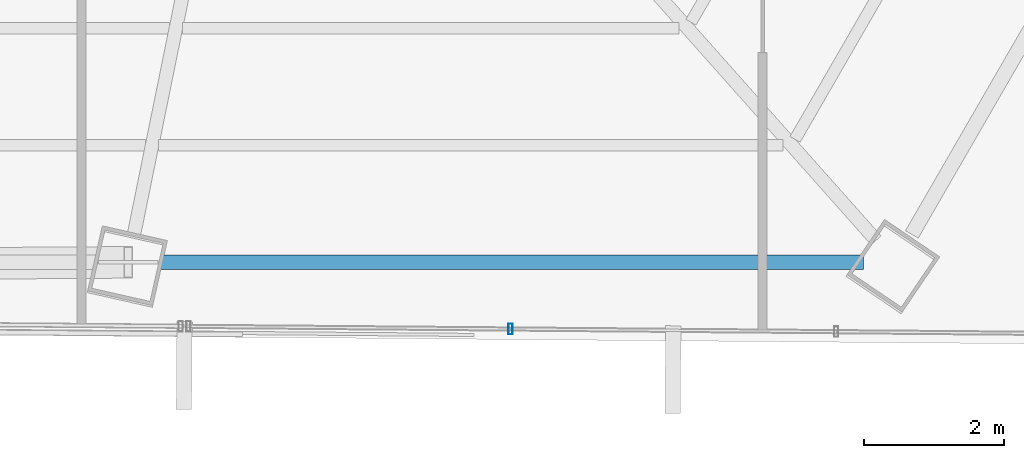
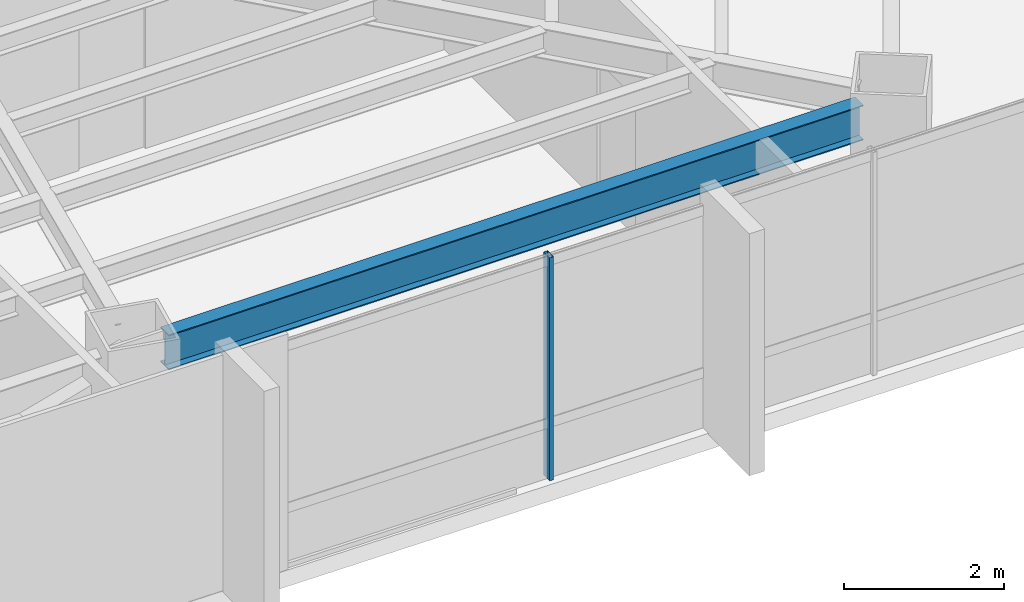
# One storey, part 17 of 38: 1 beam, 1 member, 1 element without a shape of its own.
"""IFC4 building model written with IfcOpenShell, lengths in metres."""

import ifcopenshell
import ifcopenshell.guid

model = None  # the IFC model being written
_history = None  # IfcOwnerHistory: only IFC2X3 demands one
_inside = {}  # id of a spatial element -> (the spatial element, [elements in it])
_under = {}  # id of a project, library or spatial element -> (it, [spatial elements below it])
_declared = {}  # id of a project -> (the project, [libraries it declares])
_typed = {}  # id of a type object -> (the type object, [elements of that type])
_made_of = {}  # id of a material, layer set ... -> (it, [elements and type objects made of it])


def new_model(schema):
    """Start an empty IFC model of exactly this schema.

    Asked for "IFC4X3", IfcOpenShell would pick the latest addendum, in which some entities
    have other attributes; the version numbers below select the first issue.
    IFC2X3 requires an IfcOwnerHistory on every rooted entity: one is made here for all.
    """
    global model, _history
    if schema == "IFC4X3":
        model = ifcopenshell.file(schema_version=(4, 3, 0, 0))
    else:
        model = ifcopenshell.file(schema=schema)
    _inside.clear()
    _under.clear()
    _declared.clear()
    _typed.clear()
    _made_of.clear()
    _history = None
    if model.schema == "IFC2X3":
        org = make("IfcOrganization", Name="unknown")
        user = make(
            "IfcPersonAndOrganization",
            ThePerson=make("IfcPerson", FamilyName="unknown"),
            TheOrganization=org,
        )
        app = make(
            "IfcApplication",
            ApplicationDeveloper=org,
            Version="unknown",
            ApplicationFullName="unknown",
            ApplicationIdentifier="unknown",
        )
        _history = make(
            "IfcOwnerHistory",
            OwningUser=user,
            OwningApplication=app,
            ChangeAction="ADDED",
            CreationDate=0,
        )
    return model


def make(cls, **values):
    """One entity of the class cls with the attributes given. An attribute that is None is left unset."""
    return model.create_entity(
        cls, **{name: value for name, value in values.items() if value is not None}
    )


def rooted(cls, **values):
    """An entity with a GlobalId (a new one), such as an element, a storey or a relation."""
    return make(cls, GlobalId=ifcopenshell.guid.new(), OwnerHistory=_history, **values)


def si_unit(unit_type, name, prefix=None):
    """IfcSIUnit, for example si_unit("LENGTHUNIT", "METRE", prefix="MILLI")."""
    return make("IfcSIUnit", UnitType=unit_type, Prefix=prefix, Name=name)


def assignment(units):
    """IfcUnitAssignment: the units of a project."""
    return None if units is None else make("IfcUnitAssignment", Units=units)


def point(xyz):
    """IfcCartesianPoint."""
    return None if xyz is None else make("IfcCartesianPoint", Coordinates=xyz)


def direction(xyz):
    """IfcDirection."""
    return None if xyz is None else make("IfcDirection", DirectionRatios=xyz)


def frame(location, z_axis=None, x_axis=None):
    """IfcAxis2Placement3D, a coordinate frame: its origin and axes. An axis left out is left unset."""
    return make(
        "IfcAxis2Placement3D",
        Location=point(location),
        Axis=direction(z_axis),
        RefDirection=direction(x_axis),
    )


def frame_2d(location, x_axis=None):
    """IfcAxis2Placement2D, a coordinate frame in the plane: its origin and x axis."""
    return make(
        "IfcAxis2Placement2D", Location=point(location), RefDirection=direction(x_axis)
    )


def origin():
    """The frame at (0, 0, 0) with its axes left unset."""
    return frame((0.0, 0.0, 0.0))


def origin_2d():
    """The frame at (0, 0) in the plane with its x axis left unset."""
    return frame_2d((0.0, 0.0))


def place(relative_to, where):
    """IfcLocalPlacement: puts the frame where relative to a parent placement (None: the world)."""
    return make(
        "IfcLocalPlacement", PlacementRelTo=relative_to, RelativePlacement=where
    )


def context(
    kind, dimensions, precision=None, world=None, true_north=None, identifier=None
):
    """IfcGeometricRepresentationContext, for example the 3D "Model" context."""
    return make(
        "IfcGeometricRepresentationContext",
        ContextIdentifier=identifier,
        ContextType=kind,
        CoordinateSpaceDimension=dimensions,
        Precision=precision,
        WorldCoordinateSystem=world,
        TrueNorth=true_north,
    )


def subcontext(parent, identifier, kind, view, scale=None):
    """IfcGeometricRepresentationSubContext, for example "Body" below "Model"."""
    return make(
        "IfcGeometricRepresentationSubContext",
        ContextIdentifier=identifier,
        ContextType=kind,
        ParentContext=parent,
        TargetScale=scale,
        TargetView=view,
    )


def project(units=None, contexts=None):
    """IfcProject with its units and contexts."""
    return rooted(
        "IfcProject",
        Name="project",
        RepresentationContexts=contexts,
        UnitsInContext=assignment(units),
    )


def spatial(cls, under=None, at=None, **own):
    """A site, building, storey or space (cls), placed at a placement, below another one or the project."""
    s = rooted(cls, ObjectPlacement=at, **own)
    if under is not None:
        _under.setdefault(under.id(), (under, []))[1].append(s)
    return s


def profile(cls, at=None, kind="AREA", **sizes):
    """A parametric profile (cls). Its sizes go by their IFC names, for example OverallWidth=200.0."""
    return make(cls, ProfileType=kind, Position=at, **sizes)


def hollow_rectangle(**sizes):
    """IfcRectangleHollowProfileDef."""
    return profile("IfcRectangleHollowProfileDef", **sizes)


def i_section(**sizes):
    """IfcIShapeProfileDef."""
    return profile("IfcIShapeProfileDef", **sizes)


def extrude(swept, where, along, depth):
    """IfcExtrudedAreaSolid: the profile swept, set in the frame where, extruded along a direction by depth."""
    return make(
        "IfcExtrudedAreaSolid",
        SweptArea=swept,
        Position=where,
        ExtrudedDirection=direction(along),
        Depth=depth,
    )


def shape(context_of_items, identifier, shape_type, items):
    """IfcShapeRepresentation: the items that make up one representation, for example the "Body"."""
    return make(
        "IfcShapeRepresentation",
        ContextOfItems=context_of_items,
        RepresentationIdentifier=identifier,
        RepresentationType=shape_type,
        Items=items,
    )


def source(mapping_origin, context_of_items, identifier, shape_type, items):
    """IfcRepresentationMap: a shape defined once, which mapped items show again and again."""
    return make(
        "IfcRepresentationMap",
        MappingOrigin=mapping_origin,
        MappedRepresentation=shape(context_of_items, identifier, shape_type, items),
    )


def transform(
    local_origin,
    x_axis=None,
    y_axis=None,
    z_axis=None,
    scale=None,
    scale2=None,
    scale3=None,
    uniform=True,
):
    """IfcCartesianTransformationOperator3D, or its non-uniform kind. x_axis, y_axis, z_axis: its Axis1, 2, 3."""
    if uniform:
        return make(
            "IfcCartesianTransformationOperator3D",
            Axis1=direction(x_axis),
            Axis2=direction(y_axis),
            LocalOrigin=point(local_origin),
            Scale=scale,
            Axis3=direction(z_axis),
        )
    return make(
        "IfcCartesianTransformationOperator3DnonUniform",
        Axis1=direction(x_axis),
        Axis2=direction(y_axis),
        LocalOrigin=point(local_origin),
        Scale=scale,
        Axis3=direction(z_axis),
        Scale2=scale2,
        Scale3=scale3,
    )


def mapped(mapping_source, mapping_target):
    """IfcMappedItem: shows the shape of a source again, moved by a transform."""
    return make(
        "IfcMappedItem", MappingSource=mapping_source, MappingTarget=mapping_target
    )


def material(Name=None, Category=None):
    """IfcMaterial."""
    return make("IfcMaterial", Name=Name, Category=Category)


def material_profile(
    of_material, cross_section, Name=None, Category=None, Priority=None
):
    """IfcMaterialProfile: a cross section and its material."""
    return make(
        "IfcMaterialProfile",
        Name=Name,
        Material=of_material,
        Profile=cross_section,
        Priority=Priority,
        Category=Category,
    )


def profile_set(profiles, Name=None, composite=None):
    """IfcMaterialProfileSet."""
    return make(
        "IfcMaterialProfileSet",
        Name=Name,
        MaterialProfiles=profiles,
        CompositeProfile=composite,
    )


def made_of(thing, what):
    """Note that an element or type object is made of a material, layer set ...; save() writes the relation."""
    if what is not None:
        _made_of.setdefault(what.id(), (what, []))[1].append(thing)
    return thing


def type_object(cls, material=None, **own):
    """A type object (cls), such as IfcWallType, which elements share."""
    return made_of(rooted(cls, **own), material)


def type_shapes(of_type, sources):
    """Give a type object the sources (RepresentationMaps) that its elements show as mapped items."""
    of_type.RepresentationMaps = sources


def element(
    cls,
    number,
    at=None,
    inside=None,
    cuts=None,
    type_object=None,
    material=None,
    context=None,
    identifier="Body",
    shape_type=None,
    held_by="IfcProductDefinitionShape",
    body=None,
    shapes=None,
    **own,
):
    """One element of the class cls, such as IfcWall. Its Tag is "e" and its number.

    at: its placement. inside: the storey or other place that contains it. cuts: it is an
    opening in that element (IfcRelVoidsElement). A single representation is given by context,
    identifier, shape_type and body (its items); several are given by shapes. held_by: the class
    of the entity that holds the representations. save() writes the other relations.
    """
    e = rooted(cls, Tag="e%d" % number, ObjectPlacement=at, **own)
    if body is not None:
        shapes = [shape(context, identifier, shape_type, body)]
    if shapes is not None:
        e.Representation = make(held_by, Representations=shapes)
    if inside is not None:
        _inside.setdefault(inside.id(), (inside, []))[1].append(e)
    if cuts is not None:
        rooted(
            "IfcRelVoidsElement", RelatingBuildingElement=cuts, RelatedOpeningElement=e
        )
    if type_object is not None:
        _typed.setdefault(type_object.id(), (type_object, []))[1].append(e)
    return made_of(e, material)


def aggregate(whole, parts):
    """IfcRelAggregates: a whole, such as a stair, and the parts it consists of."""
    return rooted("IfcRelAggregates", RelatingObject=whole, RelatedObjects=parts)


def save(model, path):
    """Write the relations noted so far, then the file.

    IfcRelAggregates (storeys below a building ...), IfcRelContainedInSpatialStructure (elements
    in a storey), IfcRelDefinesByType, IfcRelAssociatesMaterial and IfcRelDeclares: one each for
    every whole, place, type object, material and project.
    """
    for whole, parts in _under.values():
        aggregate(whole, parts)
    for where, things in _inside.values():
        rooted(
            "IfcRelContainedInSpatialStructure",
            RelatedElements=things,
            RelatingStructure=where,
        )
    for kind, things in _typed.values():
        rooted("IfcRelDefinesByType", RelatedObjects=things, RelatingType=kind)
    for what, things in _made_of.values():
        rooted("IfcRelAssociatesMaterial", RelatedObjects=things, RelatingMaterial=what)
    for by, libraries in _declared.values():
        rooted("IfcRelDeclares", RelatingContext=by, RelatedDefinitions=libraries)
    model.write(path)


model = new_model("IFC4")

# Units and contexts
model_context = context("Model", 3, precision=1e-05, world=origin(), true_north=direction((0.0, 1.0)))
body_context = subcontext(model_context, "Body", "Model", "MODEL_VIEW")
ifc_project = project(units=[si_unit("LENGTHUNIT", "METRE"), si_unit("AREAUNIT", "SQUARE_METRE"), si_unit("VOLUMEUNIT", "CUBIC_METRE"), si_unit("PLANEANGLEUNIT", "RADIAN"), si_unit("MASSUNIT", "GRAM", prefix="KILO")], contexts=[model_context])

# Site, building, storey
site_placement = place(None, origin())
site = spatial("IfcSite", under=ifc_project, at=site_placement, CompositionType="ELEMENT")
building_placement = place(site_placement, origin())
building = spatial("IfcBuilding", under=site, at=building_placement, Name="Caelisora Broadcast Tower", CompositionType="ELEMENT")
storey_placement = place(building_placement, frame((0.0, 0.0, 154.85009765625)))
storey = spatial("IfcBuildingStorey", under=building, at=storey_placement, Name="L40", CompositionType="ELEMENT", Elevation=154.85009765625)

# Beam
ifc_material_1 = material(Name="Steel Grade 350 (AS/NZS 3679.1)", Category="steel")
ifc_material_profile_1 = material_profile(ifc_material_1, i_section(OverallWidth=0.208984375, OverallDepth=0.532958984375, WebThickness=0.01025390625, FlangeThickness=0.015625, at=origin_2d()), Name="Steel Grade 350 (AS/NZS 3679.1)")
ifc_profile_set_1 = profile_set([ifc_material_profile_1], Name="Steel Grade 350 (AS/NZS 3679.1)")
beam_type = type_object("IfcBeamType", Name="PG05", PredefinedType="BEAM", material=ifc_profile_set_1)
shared_shape_1 = source(origin(), body_context, "Body", "SweptSolid", [
    extrude(i_section(OverallWidth=0.208984375, OverallDepth=0.532958984375, WebThickness=0.01025390625, FlangeThickness=0.015625, at=origin_2d()), origin(), (0.0, 0.0, 1.0), 10.01025390625),
])
type_shapes(beam_type, [shared_shape_1])
beam_placement = place(storey_placement, frame((43.925048828125, 7.392822265625, 3.13330078125), z_axis=(1.0, 0.0, 0.0), x_axis=(0.0, 1.0, 0.0)))
element("IfcBeam", 1, at=beam_placement, inside=storey, type_object=beam_type, Name="L40 beam PG05", PredefinedType="BEAM", context=body_context, shape_type="MappedRepresentation", body=[
    mapped(shared_shape_1, transform((0.0, 0.0, 0.0), scale=1.0)),
])

# Curtain wall, member
ifc_material_2 = material(Name="Unitised Aluminium and Low-E Glass Curtain Wall", Category="glass")
curtain_wall_type = type_object("IfcCurtainWallType", Name="CW-Z3", PredefinedType="NOTDEFINED", material=ifc_material_2)
curtain_wall_placement = place(storey_placement, origin())
curtain_wall = element("IfcCurtainWall", 2, at=curtain_wall_placement, inside=storey, type_object=curtain_wall_type, Name="L40 curtain wall CW-Z3", PredefinedType="NOTDEFINED")
ifc_material_3 = material(Name="Aluminium 6063-T6 Anodised Terracotta Bronze", Category="aluminium")
ifc_material_profile_2 = material_profile(ifc_material_3, hollow_rectangle(XDim=0.06005859375, YDim=0.14990234375, WallThickness=0.00341796875, at=origin_2d()), Name="Aluminium 6063-T6 Anodised Terracotta Bronze")
ifc_profile_set_2 = profile_set([ifc_material_profile_2], Name="Aluminium 6063-T6 Anodised Terracotta Bronze")
member_type = type_object("IfcMemberType", Name="CWM-03", PredefinedType="MULLION", material=ifc_profile_set_2)
shared_shape_2 = source(origin(), body_context, "Body", "SweptSolid", [
    extrude(hollow_rectangle(XDim=0.06005859375, YDim=0.14990234375, WallThickness=0.00341796875, at=origin_2d()), origin(), (0.0, 0.0, 1.0), 3.39990234375),
])
type_shapes(member_type, [shared_shape_2])
member_placement = place(storey_placement, frame((48.91015625, 6.443603515625, 0.0), z_axis=(0.0, 0.0, 1.0), x_axis=(1.0, 0.0, 0.0)))
member = element("IfcMember", 3, at=member_placement, type_object=member_type, Name="L40-CW-B05 mullion #2", PredefinedType="MULLION", context=body_context, shape_type="MappedRepresentation", body=[
    mapped(shared_shape_2, transform((0.0, 0.0, 0.0), scale=1.0)),
])
aggregate(curtain_wall, [member])

save(model, "model.ifc")
